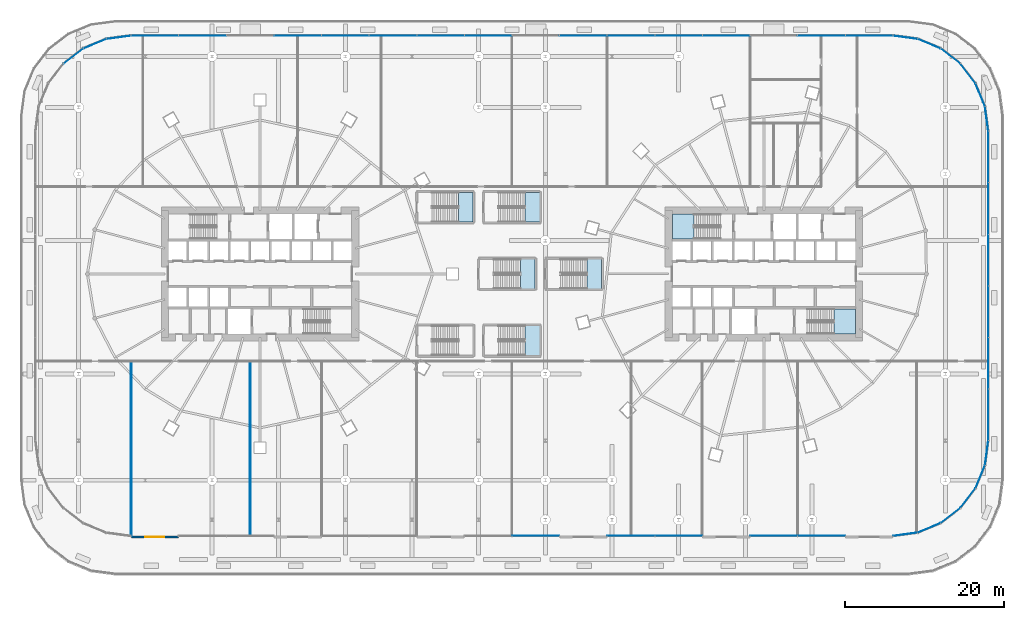
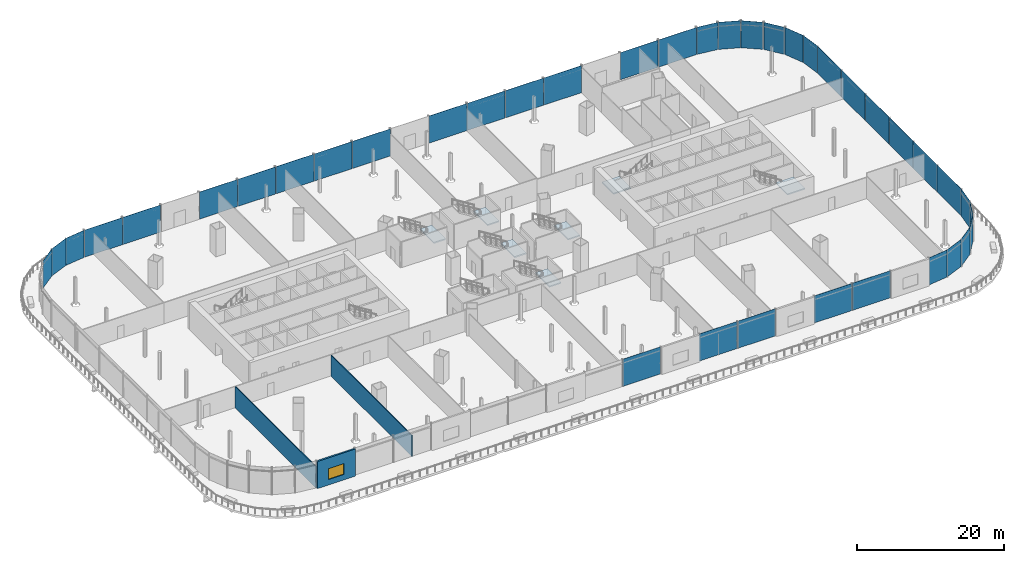
# One storey, part 35 of 56: 39 plates, 7 slabs, 3 walls, 1 window, 1 opening, 8 elements without a shape of their own.
"""IFC4 building model written with IfcOpenShell, lengths in metres."""

from ifc_helpers import new_model, si_unit, direction, frame, frame_2d, origin, origin_2d, place, context, subcontext, project, spatial, polyline, rectangle, outline, extrude, material, layer, layer_set, type_object, element, fill, aggregate, save


model = new_model("IFC4")

# Units and contexts
model_context = context("Model", 3, precision=1e-05, world=origin(), true_north=direction((0.0, 1.0)))
body_context = subcontext(model_context, "Body", "Model", "MODEL_VIEW")
ifc_project = project(units=[si_unit("LENGTHUNIT", "METRE"), si_unit("AREAUNIT", "SQUARE_METRE"), si_unit("VOLUMEUNIT", "CUBIC_METRE"), si_unit("PLANEANGLEUNIT", "RADIAN"), si_unit("MASSUNIT", "GRAM", prefix="KILO")], contexts=[model_context])

# Site, building, storey
site_placement = place(None, origin())
site = spatial("IfcSite", under=ifc_project, at=site_placement, CompositionType="ELEMENT")
building_placement = place(site_placement, origin())
building = spatial("IfcBuilding", under=site, at=building_placement, Name="Rimbun Link Towers", CompositionType="ELEMENT")
storey_placement = place(building_placement, frame((0.0, 0.0, 16.5)))
storey = spatial("IfcBuildingStorey", under=building, at=storey_placement, Name="L03", CompositionType="ELEMENT", Elevation=16.5)

# Curtain wall, plates
ifc_material_1 = material(Name="Aluminium 6063-T6 and low-iron glass", Category="aluminium")
curtain_wall_type = type_object("IfcCurtainWallType", Name="CW3 podium shopfront", PredefinedType="NOTDEFINED", material=ifc_material_1)
curtain_wall_placement = place(storey_placement, origin())
curtain_wall = element("IfcCurtainWall", 1, at=curtain_wall_placement, inside=storey, type_object=curtain_wall_type, Name="CW3 L03 PD", PredefinedType="NOTDEFINED")
ifc_material_2 = material(Name="Clear toughened low-iron glass", Category="glass")
ifc_layer_1 = layer(ifc_material_2, 0.02392578125)
ifc_layer_set_1 = layer_set([ifc_layer_1], Name="CW3 panel Clear toughened low-iron glass 24")
plate_type = type_object("IfcPlateType", Name="CW3 panel Clear toughened low-iron glass 24", PredefinedType="CURTAIN_PANEL", material=ifc_layer_set_1)
plate_1_placement = place(storey_placement, frame((49.554443359375, -32.807373046875, 0.0), z_axis=(0.0, 0.0, 1.0), x_axis=(-0.991444296525, -0.130530482602, 0.0)))
plate_1 = element("IfcPlate", 2, at=plate_1_placement, type_object=plate_type, Name="CW3 panel", PredefinedType="CURTAIN_PANEL", context=body_context, shape_type="SweptSolid", body=[
    extrude(rectangle(XDim=3.092529296875, YDim=0.02392578125, at=origin_2d()), origin(), (0.0, 0.0, 1.0), 4.5),
])
plate_2_placement = place(storey_placement, frame((52.557373046875, -32.002685546875, 0.0), z_axis=(0.0, 0.0, 1.0), x_axis=(-0.923881438965, -0.382678829747, 0.0)))
plate_2 = element("IfcPlate", 3, at=plate_2_placement, type_object=plate_type, Name="CW3 panel", PredefinedType="CURTAIN_PANEL", context=body_context, shape_type="SweptSolid", body=[
    extrude(rectangle(XDim=3.0927734375, YDim=0.02392578125, at=origin_2d()), origin(), (0.0, 0.0, 1.0), 4.5),
])
plate_3_placement = place(storey_placement, frame((55.25, -30.4482421875, 0.0), z_axis=(0.0, 0.0, 1.0), x_axis=(-0.793359162281, -0.608753841569, 0.0)))
plate_3 = element("IfcPlate", 4, at=plate_3_placement, type_object=plate_type, Name="CW3 panel", PredefinedType="CURTAIN_PANEL", context=body_context, shape_type="SweptSolid", body=[
    extrude(rectangle(XDim=3.092529296875, YDim=0.02392578125, at=origin_2d()), origin(), (0.0, 0.0, 1.0), 4.5),
])
plate_4_placement = place(storey_placement, frame((57.4482421875, -28.25, 0.0), z_axis=(0.0, 0.0, 1.0), x_axis=(-0.608753841569, -0.793359162281, 0.0)))
plate_4 = element("IfcPlate", 5, at=plate_4_placement, type_object=plate_type, Name="CW3 panel", PredefinedType="CURTAIN_PANEL", context=body_context, shape_type="SweptSolid", body=[
    extrude(rectangle(XDim=3.092529296875, YDim=0.02392578125, at=origin_2d()), origin(), (0.0, 0.0, 1.0), 4.5),
])
plate_5_placement = place(storey_placement, frame((59.002685546875, -25.557373046875, 0.0), z_axis=(0.0, 0.0, 1.0), x_axis=(-0.382678829747, -0.923881438965, 0.0)))
plate_5 = element("IfcPlate", 6, at=plate_5_placement, type_object=plate_type, Name="CW3 panel", PredefinedType="CURTAIN_PANEL", context=body_context, shape_type="SweptSolid", body=[
    extrude(rectangle(XDim=3.0927734375, YDim=0.02392578125, at=origin_2d()), origin(), (0.0, 0.0, 1.0), 4.5),
])
plate_6_placement = place(storey_placement, frame((59.807373046875, -22.554443359375, 0.0), z_axis=(0.0, 0.0, 1.0), x_axis=(-0.130530482602, -0.991444296525, 0.0)))
plate_6 = element("IfcPlate", 7, at=plate_6_placement, type_object=plate_type, Name="CW3 panel", PredefinedType="CURTAIN_PANEL", context=body_context, shape_type="SweptSolid", body=[
    extrude(rectangle(XDim=3.092529296875, YDim=0.02392578125, at=origin_2d()), origin(), (0.0, 0.0, 1.0), 4.5),
])
plate_7_placement = place(storey_placement, frame((60.011962890625, -17.75, 0.0), z_axis=(0.0, 0.0, 1.0), x_axis=(0.0, -1.0, 0.0)))
plate_7 = element("IfcPlate", 8, at=plate_7_placement, type_object=plate_type, Name="CW3 panel", PredefinedType="CURTAIN_PANEL", context=body_context, shape_type="SweptSolid", body=[
    extrude(rectangle(XDim=6.4599609375, YDim=0.02392578125, at=origin_2d()), origin(), (0.0, 0.0, 1.0), 4.5),
])
plate_8_placement = place(storey_placement, frame((60.011962890625, -11.25, 0.0), z_axis=(0.0, 0.0, 1.0), x_axis=(0.0, -1.0, 0.0)))
plate_8 = element("IfcPlate", 9, at=plate_8_placement, type_object=plate_type, Name="CW3 panel", PredefinedType="CURTAIN_PANEL", context=body_context, shape_type="SweptSolid", body=[
    extrude(rectangle(XDim=6.4599609375, YDim=0.02392578125, at=origin_2d()), origin(), (0.0, 0.0, 1.0), 4.5),
])
plate_9_placement = place(storey_placement, frame((60.011962890625, -4.75, 0.0), z_axis=(0.0, 0.0, 1.0), x_axis=(0.0, -1.0, 0.0)))
plate_9 = element("IfcPlate", 10, at=plate_9_placement, type_object=plate_type, Name="CW3 panel", PredefinedType="CURTAIN_PANEL", context=body_context, shape_type="SweptSolid", body=[
    extrude(rectangle(XDim=6.4599609375, YDim=0.02392578125, at=origin_2d()), origin(), (0.0, 0.0, 1.0), 4.5),
])
plate_10_placement = place(storey_placement, frame((60.011962890625, 1.75, 0.0), z_axis=(0.0, 0.0, 1.0), x_axis=(0.0, -1.0, 0.0)))
plate_10 = element("IfcPlate", 11, at=plate_10_placement, type_object=plate_type, Name="CW3 panel", PredefinedType="CURTAIN_PANEL", context=body_context, shape_type="SweptSolid", body=[
    extrude(rectangle(XDim=6.4599609375, YDim=0.02392578125, at=origin_2d()), origin(), (0.0, 0.0, 1.0), 4.5),
])
plate_11_placement = place(storey_placement, frame((60.011962890625, 8.25, 0.0), z_axis=(0.0, 0.0, 1.0), x_axis=(0.0, -1.0, 0.0)))
plate_11 = element("IfcPlate", 12, at=plate_11_placement, type_object=plate_type, Name="CW3 panel", PredefinedType="CURTAIN_PANEL", context=body_context, shape_type="SweptSolid", body=[
    extrude(rectangle(XDim=6.4599609375, YDim=0.02392578125, at=origin_2d()), origin(), (0.0, 0.0, 1.0), 4.5),
])
plate_12_placement = place(storey_placement, frame((60.011962890625, 14.75, 0.0), z_axis=(0.0, 0.0, 1.0), x_axis=(0.0, -1.0, 0.0)))
plate_12 = element("IfcPlate", 13, at=plate_12_placement, type_object=plate_type, Name="CW3 panel", PredefinedType="CURTAIN_PANEL", context=body_context, shape_type="SweptSolid", body=[
    extrude(rectangle(XDim=6.4599609375, YDim=0.02392578125, at=origin_2d()), origin(), (0.0, 0.0, 1.0), 4.5),
])
plate_13_placement = place(storey_placement, frame((59.807373046875, 19.554443359375, 0.0), z_axis=(0.0, 0.0, 1.0), x_axis=(0.130530482602, -0.991444296525, 0.0)))
plate_13 = element("IfcPlate", 14, at=plate_13_placement, type_object=plate_type, Name="CW3 panel", PredefinedType="CURTAIN_PANEL", context=body_context, shape_type="SweptSolid", body=[
    extrude(rectangle(XDim=3.092529296875, YDim=0.02392578125, at=origin_2d()), origin(), (0.0, 0.0, 1.0), 4.5),
])
plate_14_placement = place(storey_placement, frame((59.002685546875, 22.557373046875, 0.0), z_axis=(0.0, 0.0, 1.0), x_axis=(0.382678829747, -0.923881438965, 0.0)))
plate_14 = element("IfcPlate", 15, at=plate_14_placement, type_object=plate_type, Name="CW3 panel", PredefinedType="CURTAIN_PANEL", context=body_context, shape_type="SweptSolid", body=[
    extrude(rectangle(XDim=3.0927734375, YDim=0.02392578125, at=origin_2d()), origin(), (0.0, 0.0, 1.0), 4.5),
])
plate_15_placement = place(storey_placement, frame((57.4482421875, 25.25, 0.0), z_axis=(0.0, 0.0, 1.0), x_axis=(0.608753841569, -0.793359162281, 0.0)))
plate_15 = element("IfcPlate", 16, at=plate_15_placement, type_object=plate_type, Name="CW3 panel", PredefinedType="CURTAIN_PANEL", context=body_context, shape_type="SweptSolid", body=[
    extrude(rectangle(XDim=3.092529296875, YDim=0.02392578125, at=origin_2d()), origin(), (0.0, 0.0, 1.0), 4.5),
])
plate_16_placement = place(storey_placement, frame((55.25, 27.4482421875, 0.0), z_axis=(0.0, 0.0, 1.0), x_axis=(0.793359162281, -0.608753841569, 0.0)))
plate_16 = element("IfcPlate", 17, at=plate_16_placement, type_object=plate_type, Name="CW3 panel", PredefinedType="CURTAIN_PANEL", context=body_context, shape_type="SweptSolid", body=[
    extrude(rectangle(XDim=3.092529296875, YDim=0.02392578125, at=origin_2d()), origin(), (0.0, 0.0, 1.0), 4.5),
])
plate_17_placement = place(storey_placement, frame((52.557373046875, 29.002685546875, 0.0), z_axis=(0.0, 0.0, 1.0), x_axis=(0.923881438965, -0.382678829747, 0.0)))
plate_17 = element("IfcPlate", 18, at=plate_17_placement, type_object=plate_type, Name="CW3 panel", PredefinedType="CURTAIN_PANEL", context=body_context, shape_type="SweptSolid", body=[
    extrude(rectangle(XDim=3.0927734375, YDim=0.02392578125, at=origin_2d()), origin(), (0.0, 0.0, 1.0), 4.5),
])
plate_18_placement = place(storey_placement, frame((49.554443359375, 29.807373046875, 0.0), z_axis=(0.0, 0.0, 1.0), x_axis=(0.991444296525, -0.130530482602, 0.0)))
plate_18 = element("IfcPlate", 19, at=plate_18_placement, type_object=plate_type, Name="CW3 panel", PredefinedType="CURTAIN_PANEL", context=body_context, shape_type="SweptSolid", body=[
    extrude(rectangle(XDim=3.092529296875, YDim=0.02392578125, at=origin_2d()), origin(), (0.0, 0.0, 1.0), 4.5),
])
plate_19_placement = place(storey_placement, frame((45.0, 30.011962890625, 0.0), z_axis=(0.0, 0.0, 1.0), x_axis=(1.0, 0.0, 0.0)))
plate_19 = element("IfcPlate", 20, at=plate_19_placement, type_object=plate_type, Name="CW3 panel", PredefinedType="CURTAIN_PANEL", context=body_context, shape_type="SweptSolid", body=[
    extrude(rectangle(XDim=5.9599609375, YDim=0.02392578125, at=origin_2d()), origin(), (0.0, 0.0, 1.0), 4.5),
])
plate_20_placement = place(storey_placement, frame((39.0, 30.011962890625, 0.0), z_axis=(0.0, 0.0, 1.0), x_axis=(1.0, 0.0, 0.0)))
plate_20 = element("IfcPlate", 21, at=plate_20_placement, type_object=plate_type, Name="CW3 panel", PredefinedType="CURTAIN_PANEL", context=body_context, shape_type="SweptSolid", body=[
    extrude(rectangle(XDim=5.9599609375, YDim=0.02392578125, at=origin_2d()), origin(), (0.0, 0.0, 1.0), 4.5),
])
plate_21_placement = place(storey_placement, frame((27.0, 30.011962890625, 0.0), z_axis=(0.0, 0.0, 1.0), x_axis=(1.0, 0.0, 0.0)))
plate_21 = element("IfcPlate", 22, at=plate_21_placement, type_object=plate_type, Name="CW3 panel", PredefinedType="CURTAIN_PANEL", context=body_context, shape_type="SweptSolid", body=[
    extrude(rectangle(XDim=5.9599609375, YDim=0.02392578125, at=origin_2d()), origin(), (0.0, 0.0, 1.0), 4.5),
])
plate_22_placement = place(storey_placement, frame((21.0, 30.011962890625, 0.0), z_axis=(0.0, 0.0, 1.0), x_axis=(1.0, 0.0, 0.0)))
plate_22 = element("IfcPlate", 23, at=plate_22_placement, type_object=plate_type, Name="CW3 panel", PredefinedType="CURTAIN_PANEL", context=body_context, shape_type="SweptSolid", body=[
    extrude(rectangle(XDim=5.9599609375, YDim=0.02392578125, at=origin_2d()), origin(), (0.0, 0.0, 1.0), 4.5),
])
plate_23_placement = place(storey_placement, frame((15.0, 30.011962890625, 0.0), z_axis=(0.0, 0.0, 1.0), x_axis=(1.0, 0.0, 0.0)))
plate_23 = element("IfcPlate", 24, at=plate_23_placement, type_object=plate_type, Name="CW3 panel", PredefinedType="CURTAIN_PANEL", context=body_context, shape_type="SweptSolid", body=[
    extrude(rectangle(XDim=5.9599609375, YDim=0.02392578125, at=origin_2d()), origin(), (0.0, 0.0, 1.0), 4.5),
])
plate_24_placement = place(storey_placement, frame((9.0, 30.011962890625, 0.0), z_axis=(0.0, 0.0, 1.0), x_axis=(1.0, 0.0, 0.0)))
plate_24 = element("IfcPlate", 25, at=plate_24_placement, type_object=plate_type, Name="CW3 panel", PredefinedType="CURTAIN_PANEL", context=body_context, shape_type="SweptSolid", body=[
    extrude(rectangle(XDim=5.9599609375, YDim=0.02392578125, at=origin_2d()), origin(), (0.0, 0.0, 1.0), 4.5),
])
plate_25_placement = place(storey_placement, frame((-3.0, 30.011962890625, 0.0), z_axis=(0.0, 0.0, 1.0), x_axis=(1.0, 0.0, 0.0)))
plate_25 = element("IfcPlate", 26, at=plate_25_placement, type_object=plate_type, Name="CW3 panel", PredefinedType="CURTAIN_PANEL", context=body_context, shape_type="SweptSolid", body=[
    extrude(rectangle(XDim=5.9599609375, YDim=0.02392578125, at=origin_2d()), origin(), (0.0, 0.0, 1.0), 4.5),
])
plate_26_placement = place(storey_placement, frame((-9.0, 30.011962890625, 0.0), z_axis=(0.0, 0.0, 1.0), x_axis=(1.0, 0.0, 0.0)))
plate_26 = element("IfcPlate", 27, at=plate_26_placement, type_object=plate_type, Name="CW3 panel", PredefinedType="CURTAIN_PANEL", context=body_context, shape_type="SweptSolid", body=[
    extrude(rectangle(XDim=5.9599609375, YDim=0.02392578125, at=origin_2d()), origin(), (0.0, 0.0, 1.0), 4.5),
])
plate_27_placement = place(storey_placement, frame((-15.0, 30.011962890625, 0.0), z_axis=(0.0, 0.0, 1.0), x_axis=(1.0, 0.0, 0.0)))
plate_27 = element("IfcPlate", 28, at=plate_27_placement, type_object=plate_type, Name="CW3 panel", PredefinedType="CURTAIN_PANEL", context=body_context, shape_type="SweptSolid", body=[
    extrude(rectangle(XDim=5.9599609375, YDim=0.02392578125, at=origin_2d()), origin(), (0.0, 0.0, 1.0), 4.5),
])
plate_28_placement = place(storey_placement, frame((-21.0, 30.011962890625, 0.0), z_axis=(0.0, 0.0, 1.0), x_axis=(1.0, 0.0, 0.0)))
plate_28 = element("IfcPlate", 29, at=plate_28_placement, type_object=plate_type, Name="CW3 panel", PredefinedType="CURTAIN_PANEL", context=body_context, shape_type="SweptSolid", body=[
    extrude(rectangle(XDim=5.9599609375, YDim=0.02392578125, at=origin_2d()), origin(), (0.0, 0.0, 1.0), 4.5),
])
plate_29_placement = place(storey_placement, frame((-27.0, 30.011962890625, 0.0), z_axis=(0.0, 0.0, 1.0), x_axis=(1.0, 0.0, 0.0)))
plate_29 = element("IfcPlate", 30, at=plate_29_placement, type_object=plate_type, Name="CW3 panel", PredefinedType="CURTAIN_PANEL", context=body_context, shape_type="SweptSolid", body=[
    extrude(rectangle(XDim=5.9599609375, YDim=0.02392578125, at=origin_2d()), origin(), (0.0, 0.0, 1.0), 4.5),
])
plate_30_placement = place(storey_placement, frame((-39.0, 30.011962890625, 0.0), z_axis=(0.0, 0.0, 1.0), x_axis=(1.0, 0.0, 0.0)))
plate_30 = element("IfcPlate", 31, at=plate_30_placement, type_object=plate_type, Name="CW3 panel", PredefinedType="CURTAIN_PANEL", context=body_context, shape_type="SweptSolid", body=[
    extrude(rectangle(XDim=5.9599609375, YDim=0.02392578125, at=origin_2d()), origin(), (0.0, 0.0, 1.0), 4.5),
])
plate_31_placement = place(storey_placement, frame((-45.0, 30.011962890625, 0.0), z_axis=(0.0, 0.0, 1.0), x_axis=(1.0, 0.0, 0.0)))
plate_31 = element("IfcPlate", 32, at=plate_31_placement, type_object=plate_type, Name="CW3 panel", PredefinedType="CURTAIN_PANEL", context=body_context, shape_type="SweptSolid", body=[
    extrude(rectangle(XDim=5.9599609375, YDim=0.02392578125, at=origin_2d()), origin(), (0.0, 0.0, 1.0), 4.5),
])
plate_32_placement = place(storey_placement, frame((-49.554443359375, 29.807373046875, 0.0), z_axis=(0.0, 0.0, 1.0), x_axis=(0.991444296525, 0.130530482602, 0.0)))
plate_32 = element("IfcPlate", 33, at=plate_32_placement, type_object=plate_type, Name="CW3 panel", PredefinedType="CURTAIN_PANEL", context=body_context, shape_type="SweptSolid", body=[
    extrude(rectangle(XDim=3.092529296875, YDim=0.02392578125, at=origin_2d()), origin(), (0.0, 0.0, 1.0), 4.5),
])
plate_33_placement = place(storey_placement, frame((-52.557373046875, 29.002685546875, 0.0), z_axis=(0.0, 0.0, 1.0), x_axis=(0.923881438965, 0.382678829747, 0.0)))
plate_33 = element("IfcPlate", 34, at=plate_33_placement, type_object=plate_type, Name="CW3 panel", PredefinedType="CURTAIN_PANEL", context=body_context, shape_type="SweptSolid", body=[
    extrude(rectangle(XDim=3.0927734375, YDim=0.02392578125, at=origin_2d()), origin(), (0.0, 0.0, 1.0), 4.5),
])
plate_34_placement = place(storey_placement, frame((-55.25, 27.4482421875, 0.0), z_axis=(0.0, 0.0, 1.0), x_axis=(0.793359162281, 0.608753841569, 0.0)))
plate_34 = element("IfcPlate", 35, at=plate_34_placement, type_object=plate_type, Name="CW3 panel", PredefinedType="CURTAIN_PANEL", context=body_context, shape_type="SweptSolid", body=[
    extrude(rectangle(XDim=3.092529296875, YDim=0.02392578125, at=origin_2d()), origin(), (0.0, 0.0, 1.0), 4.5),
])
plate_35_placement = place(storey_placement, frame((3.0, -33.011962890625, 0.0), z_axis=(0.0, 0.0, 1.0), x_axis=(-1.0, 0.0, 0.0)))
plate_35 = element("IfcPlate", 36, at=plate_35_placement, type_object=plate_type, Name="CW3 panel", PredefinedType="CURTAIN_PANEL", context=body_context, shape_type="SweptSolid", body=[
    extrude(rectangle(XDim=5.9599609375, YDim=0.02392578125, at=origin_2d()), origin(), (0.0, 0.0, 1.0), 4.5),
])
plate_36_placement = place(storey_placement, frame((15.0, -33.011962890625, 0.0), z_axis=(0.0, 0.0, 1.0), x_axis=(-1.0, 0.0, 0.0)))
plate_36 = element("IfcPlate", 37, at=plate_36_placement, type_object=plate_type, Name="CW3 panel", PredefinedType="CURTAIN_PANEL", context=body_context, shape_type="SweptSolid", body=[
    extrude(rectangle(XDim=5.9599609375, YDim=0.02392578125, at=origin_2d()), origin(), (0.0, 0.0, 1.0), 4.5),
])
plate_37_placement = place(storey_placement, frame((21.0, -33.011962890625, 0.0), z_axis=(0.0, 0.0, 1.0), x_axis=(-1.0, 0.0, 0.0)))
plate_37 = element("IfcPlate", 38, at=plate_37_placement, type_object=plate_type, Name="CW3 panel", PredefinedType="CURTAIN_PANEL", context=body_context, shape_type="SweptSolid", body=[
    extrude(rectangle(XDim=5.9599609375, YDim=0.02392578125, at=origin_2d()), origin(), (0.0, 0.0, 1.0), 4.5),
])
plate_38_placement = place(storey_placement, frame((33.0, -33.011962890625, 0.0), z_axis=(0.0, 0.0, 1.0), x_axis=(-1.0, 0.0, 0.0)))
plate_38 = element("IfcPlate", 39, at=plate_38_placement, type_object=plate_type, Name="CW3 panel", PredefinedType="CURTAIN_PANEL", context=body_context, shape_type="SweptSolid", body=[
    extrude(rectangle(XDim=5.9599609375, YDim=0.02392578125, at=origin_2d()), origin(), (0.0, 0.0, 1.0), 4.5),
])
plate_39_placement = place(storey_placement, frame((39.0, -33.011962890625, 0.0), z_axis=(0.0, 0.0, 1.0), x_axis=(-1.0, 0.0, 0.0)))
plate_39 = element("IfcPlate", 40, at=plate_39_placement, type_object=plate_type, Name="CW3 panel", PredefinedType="CURTAIN_PANEL", context=body_context, shape_type="SweptSolid", body=[
    extrude(rectangle(XDim=5.9599609375, YDim=0.02392578125, at=origin_2d()), origin(), (0.0, 0.0, 1.0), 4.5),
])
aggregate(curtain_wall, [plate_1, plate_2, plate_3, plate_4, plate_5, plate_6, plate_7, plate_8, plate_9, plate_10, plate_11, plate_12, plate_13, plate_14, plate_15, plate_16, plate_17, plate_18, plate_19, plate_20, plate_21, plate_22, plate_23, plate_24, plate_25, plate_26, plate_27, plate_28, plate_29, plate_30, plate_31, plate_32, plate_33, plate_34, plate_35, plate_36, plate_37, plate_38, plate_39])

# Stair, slab
ifc_material_3 = material(Name="Concrete C40/50", Category="concrete")
stair_type_1 = type_object("IfcStairType", Name="Exit stair 4500 rise", PredefinedType="HALF_TURN_STAIR", material=ifc_material_3)
stair_1_placement = place(storey_placement, origin())
stair_1 = element("IfcStair", 41, at=stair_1_placement, inside=storey, type_object=stair_type_1, Name="L03 EXIT STAIR A", PredefinedType="HALF_TURN_STAIR")
ifc_material_4 = material(Name="Concrete C40/50", Category="concrete")
ifc_layer_2 = layer(ifc_material_4, 0.199951171875)
ifc_layer_set_2 = layer_set([ifc_layer_2], Name="Stair landing")
slab_type = type_object("IfcSlabType", Name="Stair landing", PredefinedType="LANDING", material=ifc_layer_set_2)
slab_1_placement = place(storey_placement, frame((0.0, 0.0, 2.050048828125)))
slab_1 = element("IfcSlab", 42, at=slab_1_placement, type_object=slab_type, Name="ST3 landing 1", PredefinedType="LANDING", context=body_context, shape_type="SweptSolid", body=[
    extrude(outline(polyline([(22.93994140625, 7.550048828125), (20.199951171875, 7.550048828125), (20.199951171875, 4.39990234375), (22.93994140625, 4.39990234375), (22.93994140625, 7.550048828125)])), origin(), (0.0, 0.0, 1.0), 0.199951171875),
])
aggregate(stair_1, [slab_1])

stair_2_placement = place(storey_placement, origin())
stair_2 = element("IfcStair", 43, at=stair_2_placement, inside=storey, type_object=stair_type_1, Name="L03 EXIT STAIR B", PredefinedType="HALF_TURN_STAIR")
slab_2_placement = place(storey_placement, frame((0.0, 0.0, 2.050048828125)))
slab_2 = element("IfcSlab", 44, at=slab_2_placement, type_object=slab_type, Name="ST4 landing 1", PredefinedType="LANDING", context=body_context, shape_type="SweptSolid", body=[
    extrude(outline(polyline([(40.56005859375, -7.550048828125), (43.300048828125, -7.550048828125), (43.300048828125, -4.39990234375), (40.56005859375, -4.39990234375), (40.56005859375, -7.550048828125)])), origin(), (0.0, 0.0, 1.0), 0.199951171875),
])
aggregate(stair_2, [slab_2])

ifc_material_5 = material(Name="Concrete C40/50", Category="concrete")
stair_type_2 = type_object("IfcStairType", Name="Podium exit stair 1800", PredefinedType="HALF_TURN_STAIR", material=ifc_material_5)
stair_3_placement = place(storey_placement, origin())
stair_3 = element("IfcStair", 45, at=stair_3_placement, inside=storey, type_object=stair_type_2, Name="L03 PODIUM EXIT STAIR", PredefinedType="HALF_TURN_STAIR")
slab_3_placement = place(storey_placement, frame((0.0, 0.0, 2.050048828125)))
slab_3 = element("IfcSlab", 46, at=slab_3_placement, type_object=slab_type, Name="PS2 landing 1", PredefinedType="LANDING", context=body_context, shape_type="SweptSolid", body=[
    extrude(outline(polyline([(1.659912109375, -10.27490234375), (3.5, -10.27490234375), (3.5, -6.52490234375), (1.659912109375, -6.52490234375), (1.659912109375, -10.27490234375)])), origin(), (0.0, 0.0, 1.0), 0.199951171875),
])
aggregate(stair_3, [slab_3])

stair_4_placement = place(storey_placement, origin())
stair_4 = element("IfcStair", 47, at=stair_4_placement, inside=storey, type_object=stair_type_2, Name="L03 PODIUM EXIT STAIR", PredefinedType="HALF_TURN_STAIR")
slab_4_placement = place(storey_placement, frame((0.0, 0.0, 2.050048828125)))
slab_4 = element("IfcSlab", 48, at=slab_4_placement, type_object=slab_type, Name="PS3 landing 1", PredefinedType="LANDING", context=body_context, shape_type="SweptSolid", body=[
    extrude(outline(polyline([(-6.739990234375, 6.52490234375), (-4.89990234375, 6.52490234375), (-4.89990234375, 10.27490234375), (-6.739990234375, 10.27490234375), (-6.739990234375, 6.52490234375)])), origin(), (0.0, 0.0, 1.0), 0.199951171875),
])
aggregate(stair_4, [slab_4])

stair_5_placement = place(storey_placement, origin())
stair_5 = element("IfcStair", 49, at=stair_5_placement, inside=storey, type_object=stair_type_2, Name="L03 PODIUM EXIT STAIR", PredefinedType="HALF_TURN_STAIR")
slab_5_placement = place(storey_placement, frame((0.0, 0.0, 2.050048828125)))
slab_5 = element("IfcSlab", 50, at=slab_5_placement, type_object=slab_type, Name="PS4 landing 1", PredefinedType="LANDING", context=body_context, shape_type="SweptSolid", body=[
    extrude(outline(polyline([(1.659912109375, 6.52490234375), (3.5, 6.52490234375), (3.5, 10.27490234375), (1.659912109375, 10.27490234375), (1.659912109375, 6.52490234375)])), origin(), (0.0, 0.0, 1.0), 0.199951171875),
])
aggregate(stair_5, [slab_5])

stair_6_placement = place(storey_placement, origin())
stair_6 = element("IfcStair", 51, at=stair_6_placement, inside=storey, type_object=stair_type_2, Name="L03 PODIUM EXIT STAIR", PredefinedType="HALF_TURN_STAIR")
slab_6_placement = place(storey_placement, frame((0.0, 0.0, 2.050048828125)))
slab_6 = element("IfcSlab", 52, at=slab_6_placement, type_object=slab_type, Name="PS5 landing 1", PredefinedType="LANDING", context=body_context, shape_type="SweptSolid", body=[
    extrude(outline(polyline([(9.4599609375, -1.875), (11.300048828125, -1.875), (11.300048828125, 1.875), (9.4599609375, 1.875), (9.4599609375, -1.875)])), origin(), (0.0, 0.0, 1.0), 0.199951171875),
])
aggregate(stair_6, [slab_6])

stair_7_placement = place(storey_placement, origin())
stair_7 = element("IfcStair", 53, at=stair_7_placement, inside=storey, type_object=stair_type_2, Name="L03 PODIUM EXIT STAIR", PredefinedType="HALF_TURN_STAIR")
slab_7_placement = place(storey_placement, frame((0.0, 0.0, 2.050048828125)))
slab_7 = element("IfcSlab", 54, at=slab_7_placement, type_object=slab_type, Name="PS6 landing 1", PredefinedType="LANDING", context=body_context, shape_type="SweptSolid", body=[
    extrude(outline(polyline([(1.06005859375, -1.875), (2.89990234375, -1.875), (2.89990234375, 1.875), (1.06005859375, 1.875), (1.06005859375, -1.875)])), origin(), (0.0, 0.0, 1.0), 0.199951171875),
])
aggregate(stair_7, [slab_7])

# Wall, opening, window
ifc_material_6 = material(Name="Concrete C32/40, terracotta rainscreen cladding", Category="masonry")
ifc_layer_3 = layer(ifc_material_6, 0.25)
ifc_layer_set_3 = layer_set([ifc_layer_3], Name="PD solid bay wall 250")
wall_type_1 = type_object("IfcWallType", Name="PD solid bay wall 250", PredefinedType="STANDARD", material=ifc_layer_set_3)
wall_placement = place(storey_placement, frame((-42.02001953125, -33.125, 0.0), z_axis=(0.0, 0.0, 1.0), x_axis=(-1.0, 0.0, 0.0)))
wall = element("IfcWall", 55, at=wall_placement, inside=storey, type_object=wall_type_1, Name="Solid bay wall", PredefinedType="STANDARD", context=body_context, shape_type="SweptSolid", body=[
    extrude(rectangle(XDim=5.9599609375, YDim=0.25, at=frame_2d((2.97998046875, 0.0))), origin(), (0.0, 0.0, 1.0), 4.5),
])
opening_placement = place(wall_placement, frame((1.780029296875, 0.0, 0.89990234375)))
opening = element("IfcOpeningElement", 56, at=opening_placement, cuts=wall, Name="Opening WN10", PredefinedType="OPENING", context=body_context, shape_type="SweptSolid", body=[
    extrude(rectangle(XDim=2.39990234375, YDim=1.800048828125, at=frame_2d((1.199951171875, 0.89990234375))), frame((0.0, 0.135009765625, 0.0), z_axis=(0.0, -1.0, 0.0), x_axis=(1.0, 0.0, 0.0)), (0.0, 0.0, 1.0), 0.27001953125),
])
ifc_material_7 = material(Name="Aluminium framed window, low-iron glass", Category="aluminium")
window_type = type_object("IfcWindowType", Name="W1 podium window 2400X1800", PartitioningType="SINGLE_PANEL", PredefinedType="WINDOW", material=ifc_material_7)
window_placement = place(opening_placement, origin())
window = element("IfcWindow", 57, at=window_placement, inside=storey, type_object=window_type, Name="Podium window", OverallHeight=1.800048828125, OverallWidth=2.39990234375, PartitioningType="SINGLE_PANEL", PredefinedType="WINDOW", context=body_context, shape_type="SweptSolid", body=[
    extrude(rectangle(XDim=2.39990234375, YDim=1.800048828125, at=frame_2d((1.199951171875, 0.89990234375))), frame((0.0, 0.030029296875, 0.0), z_axis=(0.0, -1.0, 0.0), x_axis=(1.0, 0.0, 0.0)), (0.0, 0.0, 1.0), 0.06005859375),
])
fill(opening, window)

# Walls
ifc_material_8 = material(Name="Gypsum board on steel studs", Category="steel")
ifc_layer_4 = layer(ifc_material_8, 0.125)
ifc_layer_set_4 = layer_set([ifc_layer_4], Name="Partition 125 board on studs")
wall_type_2 = type_object("IfcWallType", Name="Partition 125 board on studs", PredefinedType="PARTITIONING", material=ifc_layer_set_4)
for number, where, z_axis, x_axis, name in (
    (58, (-48.0, -33.080078125, 0.0), (0.0, 0.0, 1.0), (0.0, 1.0, 0.0), "PD/PW/L03/045"),
    (59, (-33.0, -33.080078125, 0.0), (0.0, 0.0, 1.0), (0.0, 1.0, 0.0), "PD/PW/L03/046"),
):
    element("IfcWall", number, at=place(storey_placement, frame(where, z_axis=z_axis, x_axis=x_axis)), inside=storey, type_object=wall_type_2, Name=name, PredefinedType="PARTITIONING", context=body_context, shape_type="SweptSolid", body=[
        extrude(rectangle(XDim=22.017578125, YDim=0.125, at=frame_2d((11.0087890625, 0.0))), origin(), (0.0, 0.0, 1.0), 3.49609375),
    ])

save(model, "model.ifc")
